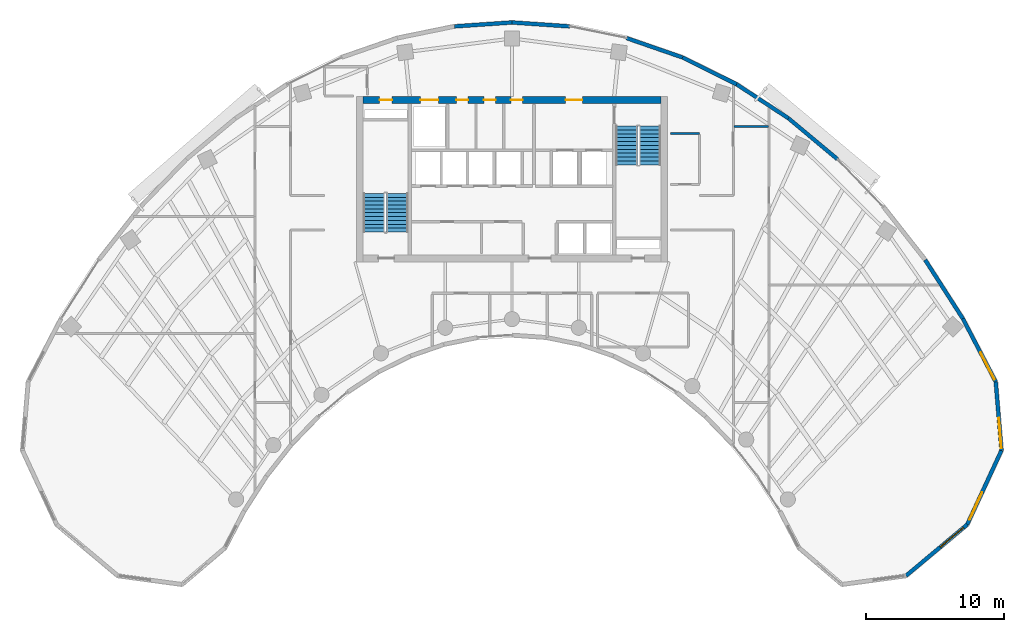
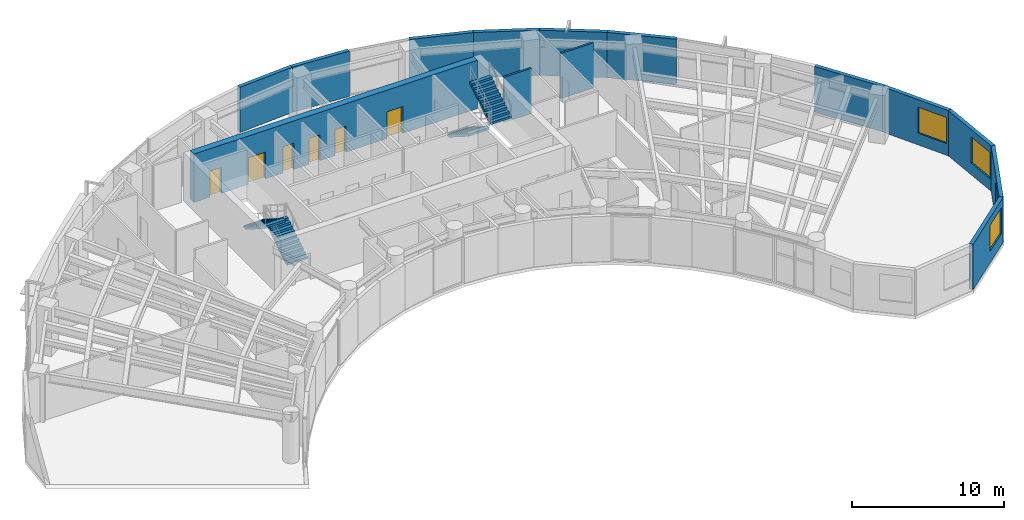
# One storey, part 10 of 13: 14 walls, 6 doors, 4 stair flights, 4 windows, 10 openings, 2 elements without a shape of their own.
"""IFC4 building model written with IfcOpenShell, lengths in metres."""

from ifc_helpers import new_model, si_unit, direction, frame, frame_2d, origin, place, context, subcontext, project, spatial, polyline, rectangle, outline, extrude, source, transform, mapped, material, layer, layer_set, type_object, type_shapes, element, fill, aggregate, save


model = new_model("IFC4")

# Units and contexts
model_context = context("Model", 3, precision=1e-05, world=origin(), true_north=direction((0.0, 1.0)))
body_context = subcontext(model_context, "Body", "Model", "MODEL_VIEW")
ifc_project = project(units=[si_unit("LENGTHUNIT", "METRE"), si_unit("AREAUNIT", "SQUARE_METRE"), si_unit("VOLUMEUNIT", "CUBIC_METRE"), si_unit("PLANEANGLEUNIT", "RADIAN"), si_unit("MASSUNIT", "GRAM", prefix="KILO")], contexts=[model_context])

# Site, building, storey
site_placement = place(None, origin())
site = spatial("IfcSite", under=ifc_project, at=site_placement, CompositionType="ELEMENT")
building_placement = place(site_placement, origin())
building = spatial("IfcBuilding", under=site, at=building_placement, Name="Breltana Convention Tower", CompositionType="ELEMENT")
storey_placement = place(building_placement, frame((0.0, 0.0, 146.699951171875)))
storey = spatial("IfcBuildingStorey", under=building, at=storey_placement, Name="L35", CompositionType="ELEMENT", Elevation=146.699951171875)

# Wall, openings, doors
ifc_material_1 = material(Name="Concrete C60/75", Category="concrete")
ifc_layer_1 = layer(ifc_material_1, 0.5, Name="Concrete C60/75")
ifc_layer_set_1 = layer_set([ifc_layer_1], Name="Concrete C60/75")
wall_type_1 = type_object("IfcWallType", Name="SW-CORE-500", PredefinedType="SHEAR", material=ifc_layer_set_1)
shared_shape_1 = source(origin(), body_context, "Body", "SweptSolid", [
    extrude(rectangle(XDim=21.60009765625, YDim=0.5, at=frame_2d((10.800048828125, 0.0))), origin(), (0.0, 0.0, 1.0), 3.900146484375),
])
wall_1_placement = place(storey_placement, frame((37.199951171875, 71.949951171875, 0.0), z_axis=(0.0, 0.0, 1.0), x_axis=(1.0, 0.0, 0.0)))
wall_1 = element("IfcWall", 1, at=wall_1_placement, inside=storey, type_object=wall_type_1, Name="L35 North Core Shear Wall", PredefinedType="SHEAR", context=body_context, shape_type="MappedRepresentation", body=[
    mapped(shared_shape_1, transform((0.0, 0.0, 0.0), scale=1.0)),
])
opening_1_placement = place(wall_1_placement, frame((1.199951171875, 0.0, 0.0)))
opening_1 = element("IfcOpeningElement", 2, at=opening_1_placement, cuts=wall_1, Name="Opening D-18", PredefinedType="OPENING", context=body_context, shape_type="SweptSolid", body=[
    extrude(rectangle(XDim=0.89990234375, YDim=2.10009765625, at=frame_2d((0.449951171875, 1.050048828125))), frame((0.0, 0.260009765625, 0.0), z_axis=(0.0, -1.0, 0.0), x_axis=(1.0, 0.0, 0.0)), (0.0, 0.0, 1.0), 0.52001953125),
])
opening_2_placement = place(wall_1_placement, frame((14.699951171875, 0.0, 0.0)))
opening_2 = element("IfcOpeningElement", 3, at=opening_2_placement, cuts=wall_1, Name="Opening D-09", PredefinedType="OPENING", context=body_context, shape_type="SweptSolid", body=[
    extrude(rectangle(XDim=1.199951171875, YDim=2.14990234375, at=frame_2d((0.60009765625, 1.074951171875))), frame((0.0, 0.260009765625, 0.0), z_axis=(0.0, -1.0, 0.0), x_axis=(1.0, 0.0, 0.0)), (0.0, 0.0, 1.0), 0.52001953125),
])
opening_3_placement = place(wall_1_placement, frame((4.14990234375, 0.0, 0.0)))
opening_3 = element("IfcOpeningElement", 4, at=opening_3_placement, cuts=wall_1, Name="Opening LD-01", PredefinedType="OPENING", context=body_context, shape_type="SweptSolid", body=[
    extrude(rectangle(XDim=1.300048828125, YDim=2.14990234375, at=frame_2d((0.64990234375, 1.074951171875))), frame((0.0, 0.260009765625, 0.0), z_axis=(0.0, -1.0, 0.0), x_axis=(1.0, 0.0, 0.0)), (0.0, 0.0, 1.0), 0.52001953125),
])
opening_4_placement = place(wall_1_placement, frame((6.760009765625, 0.0, 0.0)))
opening_4 = element("IfcOpeningElement", 5, at=opening_4_placement, cuts=wall_1, Name="Opening D-20", PredefinedType="OPENING", context=body_context, shape_type="SweptSolid", body=[
    extrude(rectangle(XDim=0.85009765625, YDim=2.10009765625, at=frame_2d((0.425048828125, 1.050048828125))), frame((0.0, 0.260009765625, 0.0), z_axis=(0.0, -1.0, 0.0), x_axis=(1.0, 0.0, 0.0)), (0.0, 0.0, 1.0), 0.52001953125),
])
opening_5_placement = place(wall_1_placement, frame((8.760009765625, 0.0, 0.0)))
opening_5 = element("IfcOpeningElement", 6, at=opening_5_placement, cuts=wall_1, Name="Opening D-20", PredefinedType="OPENING", context=body_context, shape_type="SweptSolid", body=[
    extrude(rectangle(XDim=0.85009765625, YDim=2.10009765625, at=frame_2d((0.425048828125, 1.050048828125))), frame((0.0, 0.260009765625, 0.0), z_axis=(0.0, -1.0, 0.0), x_axis=(1.0, 0.0, 0.0)), (0.0, 0.0, 1.0), 0.52001953125),
])
opening_6_placement = place(wall_1_placement, frame((10.72509765625, 0.0, 0.0)))
opening_6 = element("IfcOpeningElement", 7, at=opening_6_placement, cuts=wall_1, Name="Opening D-20", PredefinedType="OPENING", context=body_context, shape_type="SweptSolid", body=[
    extrude(rectangle(XDim=0.85009765625, YDim=2.10009765625, at=frame_2d((0.425048828125, 1.050048828125))), frame((0.0, 0.260009765625, 0.0), z_axis=(0.0, -1.0, 0.0), x_axis=(1.0, 0.0, 0.0)), (0.0, 0.0, 1.0), 0.52001953125),
])
ifc_material_2 = material(Name="Steel Riser Fire Door", Category="steel")
door_type_1 = type_object("IfcDoorType", Name="DR-FD60-900", OperationType="NOTDEFINED", PredefinedType="DOOR", material=ifc_material_2)
shared_shape_2 = source(origin(), body_context, "Body", "SweptSolid", [
    extrude(rectangle(XDim=0.89990234375, YDim=2.10009765625, at=frame_2d((0.449951171875, 1.050048828125))), frame((0.0, 0.02490234375, 0.0), z_axis=(0.0, -1.0, 0.0), x_axis=(1.0, 0.0, 0.0)), (0.0, 0.0, 1.0), 0.050048828125),
])
type_shapes(door_type_1, [shared_shape_2])
door_1_placement = place(opening_1_placement, origin())
door_1 = element("IfcDoor", 8, at=door_1_placement, inside=storey, type_object=door_type_1, Name="L35 Core Riser Access Door D-L35-RS1", OperationType="SINGLE_SWING_LEFT", OverallHeight=2.10009765625, OverallWidth=0.89990234375, PredefinedType="DOOR", context=body_context, shape_type="MappedRepresentation", body=[
    mapped(shared_shape_2, transform((0.0, 0.0, 0.0), scale=1.0)),
])
fill(opening_1, door_1)
ifc_material_3 = material(Name="Steel Fire Lobby Door", Category="steel")
door_type_2 = type_object("IfcDoorType", Name="DR-FD120-1200", OperationType="NOTDEFINED", PredefinedType="DOOR", material=ifc_material_3)
shared_shape_3 = source(origin(), body_context, "Body", "SweptSolid", [
    extrude(rectangle(XDim=1.199951171875, YDim=2.14990234375, at=frame_2d((0.60009765625, 1.074951171875))), frame((0.0, 0.02490234375, 0.0), z_axis=(0.0, -1.0, 0.0), x_axis=(1.0, 0.0, 0.0)), (0.0, 0.0, 1.0), 0.050048828125),
])
type_shapes(door_type_2, [shared_shape_3])
door_2_placement = place(opening_2_placement, origin())
door_2 = element("IfcDoor", 9, at=door_2_placement, inside=storey, type_object=door_type_2, Name="L35 interior door D-L35-FFL-N", OperationType="SINGLE_SWING_RIGHT", OverallHeight=2.14990234375, OverallWidth=1.199951171875, PredefinedType="DOOR", context=body_context, shape_type="MappedRepresentation", body=[
    mapped(shared_shape_3, transform((0.0, 0.0, 0.0), scale=1.0)),
])
fill(opening_2, door_2)
ifc_material_4 = material(Name="Stainless Steel Brushed", Category="steel")
door_type_3 = type_object("IfcDoorType", Name="DR-LD-SRV-1300", OperationType="DOUBLE_DOOR_SLIDING", PredefinedType="DOOR", material=ifc_material_4)
shared_shape_4 = source(origin(), body_context, "Body", "SweptSolid", [
    extrude(rectangle(XDim=1.300048828125, YDim=2.14990234375, at=frame_2d((0.64990234375, 1.074951171875))), frame((0.0, 0.02490234375, 0.0), z_axis=(0.0, -1.0, 0.0), x_axis=(1.0, 0.0, 0.0)), (0.0, 0.0, 1.0), 0.050048828125),
])
type_shapes(door_type_3, [shared_shape_4])
door_3_placement = place(opening_3_placement, origin())
door_3 = element("IfcDoor", 10, at=door_3_placement, inside=storey, type_object=door_type_3, Name="L35 Lift Landing Door D-L35-LD-SV1", OperationType="DOUBLE_DOOR_SLIDING", OverallHeight=2.14990234375, OverallWidth=1.300048828125, PredefinedType="DOOR", context=body_context, shape_type="MappedRepresentation", body=[
    mapped(shared_shape_4, transform((0.0, 0.0, 0.0), scale=1.0)),
])
fill(opening_3, door_3)
ifc_material_5 = material(Name="Steel Closet Fire Door", Category="steel")
door_type_4 = type_object("IfcDoorType", Name="DR-FD60-850", OperationType="NOTDEFINED", PredefinedType="DOOR", material=ifc_material_5)
shared_shape_5 = source(origin(), body_context, "Body", "SweptSolid", [
    extrude(rectangle(XDim=0.85009765625, YDim=2.10009765625, at=frame_2d((0.425048828125, 1.050048828125))), frame((0.0, 0.02490234375, 0.0), z_axis=(0.0, -1.0, 0.0), x_axis=(1.0, 0.0, 0.0)), (0.0, 0.0, 1.0), 0.050048828125),
])
type_shapes(door_type_4, [shared_shape_5])
door_4_placement = place(opening_4_placement, origin())
door_4 = element("IfcDoor", 11, at=door_4_placement, inside=storey, type_object=door_type_4, Name="L35 interior door D-L35-CRA1", OperationType="SINGLE_SWING_LEFT", OverallHeight=2.10009765625, OverallWidth=0.85009765625, PredefinedType="DOOR", context=body_context, shape_type="MappedRepresentation", body=[
    mapped(shared_shape_5, transform((0.0, 0.0, 0.0), scale=1.0)),
])
fill(opening_4, door_4)
door_5_placement = place(opening_5_placement, origin())
door_5 = element("IfcDoor", 12, at=door_5_placement, inside=storey, type_object=door_type_4, Name="L35 interior door D-L35-CRA2", OperationType="SINGLE_SWING_RIGHT", OverallHeight=2.10009765625, OverallWidth=0.85009765625, PredefinedType="DOOR", context=body_context, shape_type="MappedRepresentation", body=[
    mapped(shared_shape_5, transform((0.0, 0.0, 0.0), scale=1.0)),
])
fill(opening_5, door_5)
door_6_placement = place(opening_6_placement, origin())
door_6 = element("IfcDoor", 13, at=door_6_placement, inside=storey, type_object=door_type_4, Name="L35 interior door D-L35-CRA3", OperationType="SINGLE_SWING_LEFT", OverallHeight=2.10009765625, OverallWidth=0.85009765625, PredefinedType="DOOR", context=body_context, shape_type="MappedRepresentation", body=[
    mapped(shared_shape_5, transform((0.0, 0.0, 0.0), scale=1.0)),
])
fill(opening_6, door_6)

# Wall, opening, window
ifc_material_6 = material(Name="Limestone Buff Insulated Wall", Category="masonry")
ifc_layer_2 = layer(ifc_material_6, 0.280029296875, Name="Limestone Buff Insulated Wall")
ifc_layer_set_2 = layer_set([ifc_layer_2], Name="Limestone Buff Insulated Wall")
wall_type_2 = type_object("IfcWallType", Name="WL-EXT-NOSE-280", PredefinedType="SOLIDWALL", material=ifc_layer_set_2)
shared_shape_6 = source(origin(), body_context, "Body", "SweptSolid", [
    extrude(rectangle(XDim=4.994384765625, YDim=0.280029296875, at=frame_2d((2.4970703125, 0.0))), origin(), (0.0, 0.0, 1.0), 3.650146484375),
])
wall_2_placement = place(storey_placement, frame((83.102294921875, 51.48876953125, 0.0), z_axis=(0.0, 0.0, 1.0), x_axis=(0.083344839916, -0.996520766296, 0.0)))
wall_2 = element("IfcWall", 14, at=wall_2_placement, inside=storey, type_object=wall_type_2, Name="L35 curved limestone nose wall E1", PredefinedType="SOLIDWALL", context=body_context, shape_type="MappedRepresentation", body=[
    mapped(shared_shape_6, transform((0.0, 0.0, 0.0), scale=1.0)),
])
opening_7_placement = place(wall_2_placement, frame((2.634521484375, 0.0, 0.949951171875)))
opening_7 = element("IfcOpeningElement", 15, at=opening_7_placement, cuts=wall_2, Name="Opening W-03", PredefinedType="OPENING", context=body_context, shape_type="SweptSolid", body=[
    extrude(rectangle(XDim=2.199951171875, YDim=2.10009765625, at=frame_2d((1.10009765625, 1.050048828125))), frame((0.0, 0.14990234375, 0.0), z_axis=(0.0, -1.0, 0.0), x_axis=(1.0, 0.0, 0.0)), (0.0, 0.0, 1.0), 0.300048828125),
])
ifc_material_7 = material(Name="Glass Low-E Insulated Window", Category="glass")
window_type = type_object("IfcWindowType", Name="WN-NOSE-2200X2100", PartitioningType="TRIPLE_PANEL_VERTICAL", PredefinedType="WINDOW", material=ifc_material_7)
shared_shape_7 = source(origin(), body_context, "Body", "SweptSolid", [
    extrude(rectangle(XDim=2.199951171875, YDim=2.10009765625, at=frame_2d((1.10009765625, 1.050048828125))), frame((0.0, 0.030029296875, 0.0), z_axis=(0.0, -1.0, 0.0), x_axis=(1.0, 0.0, 0.0)), (0.0, 0.0, 1.0), 0.06005859375),
])
type_shapes(window_type, [shared_shape_7])
window_1_placement = place(opening_7_placement, origin())
window_1 = element("IfcWindow", 16, at=window_1_placement, inside=storey, type_object=window_type, Name="L35 nose window E1", OverallHeight=2.10009765625, OverallWidth=2.199951171875, PartitioningType="TRIPLE_PANEL_VERTICAL", PredefinedType="WINDOW", context=body_context, shape_type="MappedRepresentation", body=[
    mapped(shared_shape_7, transform((0.0, 0.0, 0.0), scale=1.0)),
])
fill(opening_7, window_1)

shared_shape_8 = source(origin(), body_context, "Body", "SweptSolid", [
    extrude(rectangle(XDim=5.927490234375, YDim=0.280029296875, at=frame_2d((2.9638671875, 0.0))), origin(), (0.0, 0.0, 1.0), 3.650146484375),
])
wall_3_placement = place(storey_placement, frame((83.5185546875, 46.51171875, 0.0), z_axis=(0.0, 0.0, 1.0), x_axis=(-0.419656204795, -0.907683132914, 0.0)))
wall_3 = element("IfcWall", 17, at=wall_3_placement, inside=storey, type_object=wall_type_2, Name="L35 curved limestone nose wall E2", PredefinedType="SOLIDWALL", context=body_context, shape_type="MappedRepresentation", body=[
    mapped(shared_shape_8, transform((0.0, 0.0, 0.0), scale=1.0)),
])
opening_8_placement = place(wall_3_placement, frame((3.345703125, 0.0, 0.949951171875)))
opening_8 = element("IfcOpeningElement", 18, at=opening_8_placement, cuts=wall_3, Name="Opening W-03", PredefinedType="OPENING", context=body_context, shape_type="SweptSolid", body=[
    extrude(rectangle(XDim=2.199951171875, YDim=2.10009765625, at=frame_2d((1.10009765625, 1.050048828125))), frame((0.0, 0.14990234375, 0.0), z_axis=(0.0, -1.0, 0.0), x_axis=(1.0, 0.0, 0.0)), (0.0, 0.0, 1.0), 0.300048828125),
])
window_2_placement = place(opening_8_placement, origin())
window_2 = element("IfcWindow", 19, at=window_2_placement, inside=storey, type_object=window_type, Name="L35 nose window E2", OverallHeight=2.10009765625, OverallWidth=2.199951171875, PartitioningType="TRIPLE_PANEL_VERTICAL", PredefinedType="WINDOW", context=body_context, shape_type="MappedRepresentation", body=[
    mapped(shared_shape_7, transform((0.0, 0.0, 0.0), scale=1.0)),
])
fill(opening_8, window_2)

shared_shape_9 = source(origin(), body_context, "Body", "SweptSolid", [
    extrude(rectangle(XDim=5.786376953125, YDim=0.280029296875, at=frame_2d((2.89306640625, 0.0))), origin(), (0.0, 0.0, 1.0), 3.650146484375),
])
wall_4_placement = place(storey_placement, frame((81.031005859375, 41.13134765625, 0.0), z_axis=(0.0, 0.0, 1.0), x_axis=(-0.766711306852, -0.641992034176, 0.0)))
wall_4 = element("IfcWall", 20, at=wall_4_placement, inside=storey, type_object=wall_type_2, Name="L35 curved limestone nose wall E3", PredefinedType="SOLIDWALL", context=body_context, shape_type="MappedRepresentation", body=[
    mapped(shared_shape_9, transform((0.0, 0.0, 0.0), scale=1.0)),
])
opening_9_placement = place(wall_4_placement, frame((0.3466796875, 0.0, 0.949951171875)))
opening_9 = element("IfcOpeningElement", 21, at=opening_9_placement, cuts=wall_4, Name="Opening W-03", PredefinedType="OPENING", context=body_context, shape_type="SweptSolid", body=[
    extrude(rectangle(XDim=2.199951171875, YDim=2.10009765625, at=frame_2d((1.10009765625, 1.050048828125))), frame((0.0, 0.14990234375, 0.0), z_axis=(0.0, -1.0, 0.0), x_axis=(1.0, 0.0, 0.0)), (0.0, 0.0, 1.0), 0.300048828125),
])
window_3_placement = place(opening_9_placement, origin())
window_3 = element("IfcWindow", 22, at=window_3_placement, inside=storey, type_object=window_type, Name="L35 nose window E3", OverallHeight=2.10009765625, OverallWidth=2.199951171875, PartitioningType="TRIPLE_PANEL_VERTICAL", PredefinedType="WINDOW", context=body_context, shape_type="MappedRepresentation", body=[
    mapped(shared_shape_7, transform((0.0, 0.0, 0.0), scale=1.0)),
])
fill(opening_9, window_3)

shared_shape_10 = source(origin(), body_context, "Body", "SweptSolid", [
    extrude(rectangle(XDim=5.1708984375, YDim=0.280029296875, at=frame_2d((2.58544921875, 0.0))), origin(), (0.0, 0.0, 1.0), 3.650146484375),
])
wall_5_placement = place(storey_placement, frame((80.714599609375, 56.075439453125, 0.0), z_axis=(0.0, 0.0, 1.0), x_axis=(0.461752581363, -0.887008767491, 0.0)))
wall_5 = element("IfcWall", 23, at=wall_5_placement, inside=storey, type_object=wall_type_2, Name="L35 curved limestone nose wall E34", PredefinedType="SOLIDWALL", context=body_context, shape_type="MappedRepresentation", body=[
    mapped(shared_shape_10, transform((0.0, 0.0, 0.0), scale=1.0)),
])
opening_10_placement = place(wall_5_placement, frame((2.7783203125, 0.0, 0.949951171875)))
opening_10 = element("IfcOpeningElement", 24, at=opening_10_placement, cuts=wall_5, Name="Opening W-03", PredefinedType="OPENING", context=body_context, shape_type="SweptSolid", body=[
    extrude(rectangle(XDim=2.199951171875, YDim=2.10009765625, at=frame_2d((1.10009765625, 1.050048828125))), frame((0.0, 0.14990234375, 0.0), z_axis=(0.0, -1.0, 0.0), x_axis=(1.0, 0.0, 0.0)), (0.0, 0.0, 1.0), 0.300048828125),
])
window_4_placement = place(opening_10_placement, origin())
window_4 = element("IfcWindow", 25, at=window_4_placement, inside=storey, type_object=window_type, Name="L35 nose window E34", OverallHeight=2.10009765625, OverallWidth=2.199951171875, PartitioningType="TRIPLE_PANEL_VERTICAL", PredefinedType="WINDOW", context=body_context, shape_type="MappedRepresentation", body=[
    mapped(shared_shape_7, transform((0.0, 0.0, 0.0), scale=1.0)),
])
fill(opening_10, window_4)

# Walls
shared_shape_11 = source(origin(), body_context, "Body", "SweptSolid", [
    extrude(rectangle(XDim=4.633544921875, YDim=0.280029296875, at=frame_2d((2.31689453125, 0.0))), origin(), (0.0, 0.0, 1.0), 3.650146484375),
])
wall_6_placement = place(storey_placement, frame((68.060791015625, 70.610107421875, 0.0), z_axis=(0.0, 0.0, 1.0), x_axis=(0.767910229096, -0.640557475993, 0.0)))
element("IfcWall", 26, at=wall_6_placement, inside=storey, type_object=wall_type_2, Name="L35 curved limestone nose wall E31", PredefinedType="SOLIDWALL", context=body_context, shape_type="MappedRepresentation", body=[
    mapped(shared_shape_11, transform((0.0, 0.0, 0.0), scale=1.0)),
])
shared_shape_12 = source(origin(), body_context, "Body", "SweptSolid", [
    extrude(rectangle(XDim=4.500732421875, YDim=0.280029296875, at=frame_2d((2.25048828125, 0.0))), origin(), (0.0, 0.0, 1.0), 3.650146484375),
])
wall_7_placement = place(storey_placement, frame((64.29833984375, 73.079833984375, 0.0), z_axis=(0.0, 0.0, 1.0), x_axis=(0.835984920737, -0.548752414391, 0.0)))
element("IfcWall", 27, at=wall_7_placement, inside=storey, type_object=wall_type_2, Name="L35 curved limestone nose wall E30", PredefinedType="SOLIDWALL", context=body_context, shape_type="MappedRepresentation", body=[
    mapped(shared_shape_12, transform((0.0, 0.0, 0.0), scale=1.0)),
])
shared_shape_13 = source(origin(), body_context, "Body", "SweptSolid", [
    extrude(rectangle(XDim=4.289794921875, YDim=0.280029296875, at=frame_2d((2.14501953125, 0.0))), origin(), (0.0, 0.0, 1.0), 3.650146484375),
])
wall_8_placement = place(storey_placement, frame((56.31689453125, 76.431396484375, 0.0), z_axis=(0.0, 0.0, 1.0), x_axis=(0.944883859218, -0.3274057003, 0.0)))
element("IfcWall", 28, at=wall_8_placement, inside=storey, type_object=wall_type_2, Name="L35 curved limestone nose wall E28", PredefinedType="SOLIDWALL", context=body_context, shape_type="MappedRepresentation", body=[
    mapped(shared_shape_13, transform((0.0, 0.0, 0.0), scale=1.0)),
])
shared_shape_14 = source(origin(), body_context, "Body", "SweptSolid", [
    extrude(rectangle(XDim=4.189208984375, YDim=0.280029296875, at=frame_2d((2.0947265625, 0.0))), origin(), (0.0, 0.0, 1.0), 3.650146484375),
])
for number, where, z_axis, x_axis, name in (
    (29, (43.8203125, 77.27978515625, 0.0), (0.0, 0.0, 1.0), (0.997700560699, 0.067776036921, 0.0), "L35 curved limestone nose wall E26"),
    (30, (48.0, 77.563720703125, 0.0), (0.0, 0.0, 1.0), (0.997700560699, -0.067776036921, 0.0), "L35 curved limestone nose wall E27"),
):
    element("IfcWall", number, at=place(storey_placement, frame(where, z_axis=z_axis, x_axis=x_axis)), inside=storey, type_object=wall_type_2, Name=name, PredefinedType="SOLIDWALL", context=body_context, shape_type="MappedRepresentation", body=[
        mapped(shared_shape_14, transform((0.0, 0.0, 0.0), scale=1.0)),
    ])
shared_shape_15 = source(origin(), body_context, "Body", "SweptSolid", [
    extrude(rectangle(XDim=4.384033203125, YDim=0.280029296875, at=frame_2d((2.19189453125, 0.0))), origin(), (0.0, 0.0, 1.0), 3.650146484375),
])
wall_9_placement = place(storey_placement, frame((60.370361328125, 75.02685546875, 0.0), z_axis=(0.0, 0.0, 1.0), x_axis=(0.895969968053, -0.444114643248, 0.0)))
element("IfcWall", 31, at=wall_9_placement, inside=storey, type_object=wall_type_2, Name="L35 curved limestone nose wall E29", PredefinedType="SOLIDWALL", context=body_context, shape_type="MappedRepresentation", body=[
    mapped(shared_shape_15, transform((0.0, 0.0, 0.0), scale=1.0)),
])
shared_shape_16 = source(origin(), body_context, "Body", "SweptSolid", [
    extrude(rectangle(XDim=5.064697265625, YDim=0.280029296875, at=frame_2d((2.5322265625, 0.0))), origin(), (0.0, 0.0, 1.0), 3.650146484375),
])
wall_10_placement = place(storey_placement, frame((77.978759765625, 60.337646484375, 0.0), z_axis=(0.0, 0.0, 1.0), x_axis=(0.540177618806, -0.841551032404, 0.0)))
element("IfcWall", 32, at=wall_10_placement, inside=storey, type_object=wall_type_2, Name="L35 curved limestone nose wall E33", PredefinedType="SOLIDWALL", context=body_context, shape_type="MappedRepresentation", body=[
    mapped(shared_shape_16, transform((0.0, 0.0, 0.0), scale=1.0)),
])
ifc_material_8 = material(Name="Gypsum Acoustic Drywall Partition")
ifc_layer_3 = layer(ifc_material_8, 0.14990234375, Name="Gypsum Acoustic Drywall Partition")
ifc_layer_set_3 = layer_set([ifc_layer_3], Name="Gypsum Acoustic Drywall Partition")
wall_type_3 = type_object("IfcWallType", Name="WL-PART-150", PredefinedType="PARTITIONING", material=ifc_layer_set_3)
shared_shape_17 = source(origin(), body_context, "Body", "SweptSolid", [
    extrude(rectangle(XDim=2.5, YDim=0.14990234375, at=frame_2d((1.25, 0.0))), origin(), (0.0, 0.0, 1.0), 3.650146484375),
])
wall_11_placement = place(storey_placement, frame((64.10009765625, 70.0, 0.0), z_axis=(0.0, 0.0, 1.0), x_axis=(1.0, 0.0, 0.0)))
element("IfcWall", 33, at=wall_11_placement, inside=storey, type_object=wall_type_3, Name="L35 interior partition W-L35-CORNE-N", PredefinedType="PARTITIONING", context=body_context, shape_type="MappedRepresentation", body=[
    mapped(shared_shape_17, transform((0.0, 0.0, 0.0), scale=1.0)),
])
shared_shape_18 = source(origin(), body_context, "Body", "SweptSolid", [
    extrude(rectangle(XDim=2.10009765625, YDim=0.14990234375, at=frame_2d((1.050048828125, 0.0))), origin(), (0.0, 0.0, 1.0), 3.650146484375),
])
wall_12_placement = place(storey_placement, frame((59.5, 69.5, 0.0), z_axis=(0.0, 0.0, 1.0), x_axis=(1.0, 0.0, 0.0)))
element("IfcWall", 34, at=wall_12_placement, inside=storey, type_object=wall_type_3, Name="L35 interior partition W-L35-CRSE-N", PredefinedType="PARTITIONING", context=body_context, shape_type="MappedRepresentation", body=[
    mapped(shared_shape_18, transform((0.0, 0.0, 0.0), scale=1.0)),
])

# Stair, stair flights
ifc_material_9 = material(Name="Concrete C40/50", Category="concrete")
stair_type = type_object("IfcStairType", Name="ST-DOG-1560-R177", PredefinedType="HALF_TURN_STAIR", material=ifc_material_9)
stair_1_placement = place(storey_placement, origin())
stair_1 = element("IfcStair", 35, at=stair_1_placement, inside=storey, type_object=stair_type, Name="L35 Protected Core Exit Stair ST-1", PredefinedType="HALF_TURN_STAIR")
stair_flight_type = type_object("IfcStairFlightType", Name="STF-DOG-1560-N11-R177", PredefinedType="STRAIGHT", material=ifc_material_9)
stair_flight_1_placement = place(storey_placement, frame((39.68994140625, 62.360107421875, 0.0), z_axis=(0.0, 0.0, 1.0), x_axis=(0.0, 1.0, 0.0)))
stair_flight_1 = element("IfcStairFlight", 36, at=stair_flight_1_placement, type_object=stair_flight_type, Name="ST-1 flight 1", NumberOfRisers=11, NumberOfTreads=10, PredefinedType="STRAIGHT", RiserHeight=0.177272727, TreadLength=0.28, context=body_context, shape_type="SweptSolid", body=[
    extrude(outline(polyline([(0.0, 0.0), (0.0, 0.17724609375), (0.280029296875, 0.17724609375), (0.280029296875, 0.3544921875), (0.56005859375, 0.3544921875), (0.56005859375, 0.53173828125), (0.840087890625, 0.53173828125), (0.840087890625, 0.708984375), (1.1201171875, 0.708984375), (1.1201171875, 0.886474609375), (1.39990234375, 0.886474609375), (1.39990234375, 1.063720703125), (1.679931640625, 1.063720703125), (1.679931640625, 1.240966796875), (1.9599609375, 1.240966796875), (1.9599609375, 1.418212890625), (2.239990234375, 1.418212890625), (2.239990234375, 1.595458984375), (2.52001953125, 1.595458984375), (2.52001953125, 1.772705078125), (2.800048828125, 1.772705078125), (2.800048828125, 1.949951171875), (2.800048828125, 1.59521484375), (0.2802734375, 0.0), (0.0, 0.0)])), frame((0.0, 0.780029296875, 0.0), z_axis=(0.0, -1.0, 0.0), x_axis=(1.0, 0.0, 0.0)), (0.0, 0.0, 1.0), 1.56005859375),
])
stair_flight_2_placement = place(storey_placement, frame((37.97998046875, 65.159912109375, 1.949951171875), z_axis=(0.0, 0.0, 1.0), x_axis=(0.0, -1.0, 0.0)))
stair_flight_2 = element("IfcStairFlight", 37, at=stair_flight_2_placement, type_object=stair_flight_type, Name="ST-1 flight 2", NumberOfRisers=11, NumberOfTreads=10, PredefinedType="STRAIGHT", RiserHeight=0.177272727, TreadLength=0.28, context=body_context, shape_type="SweptSolid", body=[
    extrude(outline(polyline([(0.0, 0.0), (0.0, 0.17724609375), (0.280029296875, 0.17724609375), (0.280029296875, 0.3544921875), (0.56005859375, 0.3544921875), (0.56005859375, 0.53173828125), (0.840087890625, 0.53173828125), (0.840087890625, 0.708984375), (1.1201171875, 0.708984375), (1.1201171875, 0.886474609375), (1.39990234375, 0.886474609375), (1.39990234375, 1.063720703125), (1.679931640625, 1.063720703125), (1.679931640625, 1.240966796875), (1.9599609375, 1.240966796875), (1.9599609375, 1.418212890625), (2.239990234375, 1.418212890625), (2.239990234375, 1.595458984375), (2.52001953125, 1.595458984375), (2.52001953125, 1.772705078125), (2.800048828125, 1.772705078125), (2.800048828125, 1.949951171875), (2.800048828125, 1.59521484375), (0.2802734375, 0.0), (0.0, 0.0)])), frame((0.0, 0.780029296875, 0.0), z_axis=(0.0, -1.0, 0.0), x_axis=(1.0, 0.0, 0.0)), (0.0, 0.0, 1.0), 1.56005859375),
])
aggregate(stair_1, [stair_flight_1, stair_flight_2])

stair_2_placement = place(storey_placement, origin())
stair_2 = element("IfcStair", 38, at=stair_2_placement, inside=storey, type_object=stair_type, Name="L35 Protected Core Exit Stair ST-2", PredefinedType="HALF_TURN_STAIR")
stair_flight_3_placement = place(storey_placement, frame((56.31005859375, 70.0400390625, 0.0), z_axis=(0.0, 0.0, 1.0), x_axis=(0.0, -1.0, 0.0)))
stair_flight_3 = element("IfcStairFlight", 39, at=stair_flight_3_placement, type_object=stair_flight_type, Name="ST-2 flight 1", NumberOfRisers=11, NumberOfTreads=10, PredefinedType="STRAIGHT", RiserHeight=0.177272727, TreadLength=0.28, context=body_context, shape_type="SweptSolid", body=[
    extrude(outline(polyline([(0.0, 0.0), (0.0, 0.17724609375), (0.280029296875, 0.17724609375), (0.280029296875, 0.3544921875), (0.56005859375, 0.3544921875), (0.56005859375, 0.53173828125), (0.840087890625, 0.53173828125), (0.840087890625, 0.708984375), (1.1201171875, 0.708984375), (1.1201171875, 0.886474609375), (1.39990234375, 0.886474609375), (1.39990234375, 1.063720703125), (1.679931640625, 1.063720703125), (1.679931640625, 1.240966796875), (1.9599609375, 1.240966796875), (1.9599609375, 1.418212890625), (2.239990234375, 1.418212890625), (2.239990234375, 1.595458984375), (2.52001953125, 1.595458984375), (2.52001953125, 1.772705078125), (2.800048828125, 1.772705078125), (2.800048828125, 1.949951171875), (2.800048828125, 1.59521484375), (0.2802734375, 0.0), (0.0, 0.0)])), frame((0.0, 0.780029296875, 0.0), z_axis=(0.0, -1.0, 0.0), x_axis=(1.0, 0.0, 0.0)), (0.0, 0.0, 1.0), 1.56005859375),
])
stair_flight_4_placement = place(storey_placement, frame((58.02001953125, 67.239990234375, 1.949951171875), z_axis=(0.0, 0.0, 1.0), x_axis=(0.0, 1.0, 0.0)))
stair_flight_4 = element("IfcStairFlight", 40, at=stair_flight_4_placement, type_object=stair_flight_type, Name="ST-2 flight 2", NumberOfRisers=11, NumberOfTreads=10, PredefinedType="STRAIGHT", RiserHeight=0.177272727, TreadLength=0.28, context=body_context, shape_type="SweptSolid", body=[
    extrude(outline(polyline([(0.0, 0.0), (0.0, 0.17724609375), (0.280029296875, 0.17724609375), (0.280029296875, 0.3544921875), (0.56005859375, 0.3544921875), (0.56005859375, 0.53173828125), (0.840087890625, 0.53173828125), (0.840087890625, 0.708984375), (1.1201171875, 0.708984375), (1.1201171875, 0.886474609375), (1.39990234375, 0.886474609375), (1.39990234375, 1.063720703125), (1.679931640625, 1.063720703125), (1.679931640625, 1.240966796875), (1.9599609375, 1.240966796875), (1.9599609375, 1.418212890625), (2.239990234375, 1.418212890625), (2.239990234375, 1.595458984375), (2.52001953125, 1.595458984375), (2.52001953125, 1.772705078125), (2.800048828125, 1.772705078125), (2.800048828125, 1.949951171875), (2.800048828125, 1.59521484375), (0.2802734375, 0.0), (0.0, 0.0)])), frame((0.0, 0.780029296875, 0.0), z_axis=(0.0, -1.0, 0.0), x_axis=(1.0, 0.0, 0.0)), (0.0, 0.0, 1.0), 1.56005859375),
])
aggregate(stair_2, [stair_flight_3, stair_flight_4])

save(model, "model.ifc")
